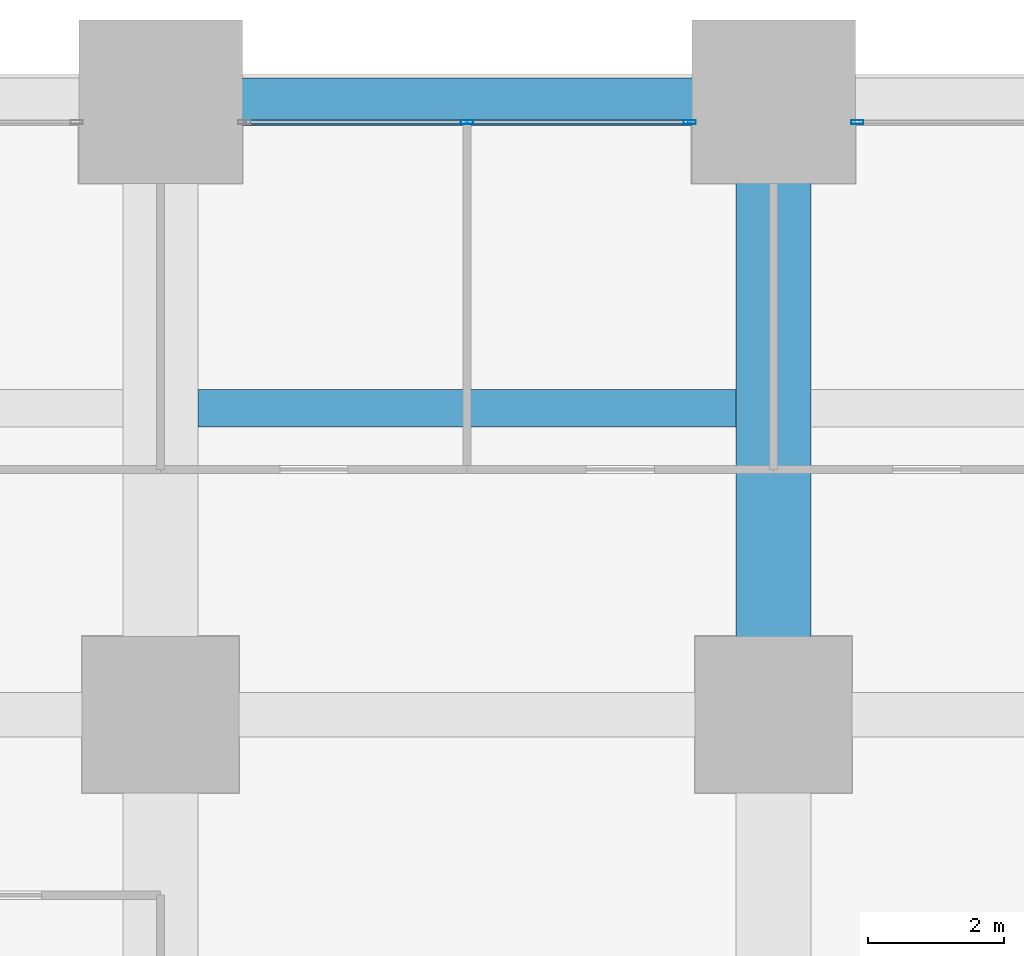
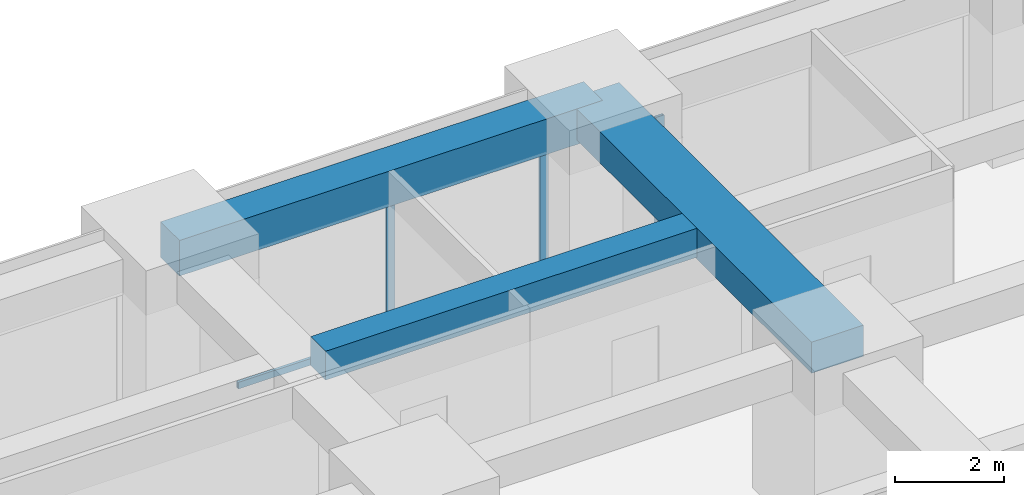
# One storey, part 22 of 38: 4 members, 3 beams, 2 elements without a shape of their own.
"""IFC4 building model written with IfcOpenShell, lengths in metres."""

from ifc_helpers import new_model, si_unit, direction, frame, origin, origin_2d, place, context, subcontext, project, spatial, rectangle, hollow_rectangle, extrude, material, material_profile, profile_set, type_object, element, aggregate, save


model = new_model("IFC4")

# Units and contexts
model_context = context("Model", 3, precision=1e-05, world=origin(), true_north=direction((0.0, 1.0)))
body_context = subcontext(model_context, "Body", "Model", "MODEL_VIEW")
ifc_project = project(units=[si_unit("LENGTHUNIT", "METRE"), si_unit("AREAUNIT", "SQUARE_METRE"), si_unit("VOLUMEUNIT", "CUBIC_METRE"), si_unit("PLANEANGLEUNIT", "RADIAN"), si_unit("MASSUNIT", "GRAM", prefix="KILO")], contexts=[model_context])

# Site, building, storey
site_placement = place(None, origin())
site = spatial("IfcSite", under=ifc_project, at=site_placement, CompositionType="ELEMENT")
building_placement = place(site_placement, origin())
building = spatial("IfcBuilding", under=site, at=building_placement, Name="Zorevar Civic Tower", CompositionType="ELEMENT")
storey_placement = place(building_placement, frame((0.0, 0.0, 15.800048828125)))
storey = spatial("IfcBuildingStorey", under=building, at=storey_placement, Name="L03", CompositionType="ELEMENT", Elevation=15.800048828125)

# Beams
ifc_material_1 = material(Name="Concrete C50/60", Category="concrete")
ifc_material_profile_1 = material_profile(ifc_material_1, rectangle(XDim=1.10009765625, YDim=0.699951171875, at=origin_2d()), Name="RC 1100x700")
ifc_profile_set_1 = profile_set([ifc_material_profile_1], Name="Concrete C50/60")
beam_type_1 = type_object("IfcBeamType", Name="Beam RC 1100x700", PredefinedType="BEAM", material=ifc_profile_set_1)
beam_1_placement = place(storey_placement, frame((45.0, 45.0, 3.39990234375), z_axis=(0.0, 1.0, 0.0), x_axis=(-1.0, 0.0, 0.0)))
element("IfcBeam", 1, at=beam_1_placement, inside=storey, type_object=beam_type_1, Name="Girder L04", PredefinedType="BEAM", context=body_context, shape_type="SweptSolid", body=[
    extrude(rectangle(XDim=1.10009765625, YDim=0.699951171875, at=origin_2d()), origin(), (0.0, 0.0, 1.0), 9.0),
])
ifc_material_2 = material(Name="Concrete C50/60", Category="concrete")
ifc_material_profile_2 = material_profile(ifc_material_2, rectangle(XDim=0.550048828125, YDim=0.64990234375, at=origin_2d()), Name="RC 550x650")
ifc_profile_set_2 = profile_set([ifc_material_profile_2], Name="Concrete C50/60")
beam_type_2 = type_object("IfcBeamType", Name="Beam RC 550x650", PredefinedType="BEAM", material=ifc_profile_set_2)
beam_2_placement = place(storey_placement, frame((36.550048828125, 49.5, 3.425048828125), z_axis=(1.0, 0.0, 0.0), x_axis=(0.0, 1.0, 0.0)))
element("IfcBeam", 2, at=beam_2_placement, inside=storey, type_object=beam_type_2, Name="Secondary beam L04", PredefinedType="BEAM", context=body_context, shape_type="SweptSolid", body=[
    extrude(rectangle(XDim=0.550048828125, YDim=0.64990234375, at=origin_2d()), origin(), (0.0, 0.0, 1.0), 7.89990234375),
])

# Curtain wall, members
ifc_material_3 = material(Name="Dark grey solar-control glass in black aluminium frame", Category="aluminium")
curtain_wall_type = type_object("IfcCurtainWallType", Name="Curtain wall CW2 low zone", PredefinedType="NOTDEFINED", material=ifc_material_3)
curtain_wall_1_placement = place(storey_placement, origin())
curtain_wall_1 = element("IfcCurtainWall", 3, at=curtain_wall_1_placement, inside=storey, type_object=curtain_wall_type, Name="CW2 L03", PredefinedType="NOTDEFINED")
ifc_material_4 = material(Name="Aluminium, black anodised", Category="aluminium")
ifc_material_profile_3 = material_profile(ifc_material_4, hollow_rectangle(XDim=0.06005859375, YDim=0.179931640625, WallThickness=0.00390625, at=origin_2d()), Name="AL 180x60x4")
ifc_profile_set_3 = profile_set([ifc_material_profile_3], Name="Aluminium, black anodised")
member_type_1 = type_object("IfcMemberType", Name="CW2 mullion AL 180x60x4", PredefinedType="MULLION", material=ifc_profile_set_3)
member_1_placement = place(storey_placement, frame((40.5, 53.699951171875, 0.06005859375), z_axis=(0.0, 0.0, 1.0), x_axis=(0.0, 1.0, 0.0)))
member_1 = element("IfcMember", 4, at=member_1_placement, type_object=member_type_1, Name="CW2 mullion 2", PredefinedType="MULLION", context=body_context, shape_type="SweptSolid", body=[
    extrude(hollow_rectangle(XDim=0.06005859375, YDim=0.179931640625, WallThickness=0.00390625, at=origin_2d()), origin(), (0.0, 0.0, 1.0), 2.889892578125),
])
member_2_placement = place(storey_placement, frame((43.77001953125, 53.699951171875, 0.0), z_axis=(0.0, 0.0, 1.0), x_axis=(0.0, 1.0, 0.0)))
member_2 = element("IfcMember", 5, at=member_2_placement, type_object=member_type_1, Name="CW2 mullion 3", PredefinedType="MULLION", context=body_context, shape_type="SweptSolid", body=[
    extrude(hollow_rectangle(XDim=0.06005859375, YDim=0.179931640625, WallThickness=0.00390625, at=origin_2d()), origin(), (0.0, 0.0, 1.0), 2.949951171875),
])

# Curtain wall, member
curtain_wall_2_placement = place(storey_placement, origin())
curtain_wall_2 = element("IfcCurtainWall", 6, at=curtain_wall_2_placement, inside=storey, type_object=curtain_wall_type, Name="CW2 L03", PredefinedType="NOTDEFINED")
member_3_placement = place(storey_placement, frame((46.22998046875, 53.699951171875, 0.0), z_axis=(0.0, 0.0, 1.0), x_axis=(0.0, 1.0, 0.0)))
member_3 = element("IfcMember", 7, at=member_3_placement, type_object=member_type_1, Name="CW2 mullion 1", PredefinedType="MULLION", context=body_context, shape_type="SweptSolid", body=[
    extrude(hollow_rectangle(XDim=0.06005859375, YDim=0.179931640625, WallThickness=0.00390625, at=origin_2d()), origin(), (0.0, 0.0, 1.0), 2.949951171875),
])
aggregate(curtain_wall_2, [member_3])

# Member
ifc_material_5 = material(Name="Aluminium, black anodised", Category="aluminium")
ifc_material_profile_4 = material_profile(ifc_material_5, hollow_rectangle(XDim=0.06005859375, YDim=0.14990234375, WallThickness=0.00390625, at=origin_2d()), Name="AL 150x60x4")
ifc_profile_set_4 = profile_set([ifc_material_profile_4], Name="Aluminium, black anodised")
member_type_2 = type_object("IfcMemberType", Name="CW2 transom AL 150x60x4", PredefinedType="USERDEFINED", material=ifc_profile_set_4)
member_4_placement = place(storey_placement, frame((37.260009765625, 53.699951171875, 0.030029296875), z_axis=(1.0, 0.0, 0.0), x_axis=(0.0, 1.0, 0.0)))
member_4 = element("IfcMember", 8, at=member_4_placement, type_object=member_type_2, Name="CW2 sill transom", ObjectType="TRANSOM", PredefinedType="USERDEFINED", context=body_context, shape_type="SweptSolid", body=[
    extrude(hollow_rectangle(XDim=0.06005859375, YDim=0.14990234375, WallThickness=0.00390625, at=origin_2d()), origin(), (0.0, 0.0, 1.0), 6.47998046875),
])

aggregate(curtain_wall_1, [member_1, member_2, member_4])

# Beam
ifc_material_6 = material(Name="Concrete C50/60", Category="concrete")
ifc_material_profile_5 = material_profile(ifc_material_6, rectangle(XDim=0.699951171875, YDim=0.800048828125, at=origin_2d()), Name="RC 700x800")
ifc_profile_set_5 = profile_set([ifc_material_profile_5], Name="Concrete C50/60")
beam_type_3 = type_object("IfcBeamType", Name="Edge beam RC 700x800", PredefinedType="SPANDREL", material=ifc_profile_set_5)
beam_3_placement = place(storey_placement, frame((36.0, 54.0, 3.349853515625), z_axis=(1.0, 0.0, 0.0), x_axis=(0.0, 1.0, 0.0)))
element("IfcBeam", 9, at=beam_3_placement, inside=storey, type_object=beam_type_3, Name="Edge beam L04", PredefinedType="SPANDREL", context=body_context, shape_type="SweptSolid", body=[
    extrude(rectangle(XDim=0.699951171875, YDim=0.800048828125, at=origin_2d()), origin(), (0.0, 0.0, 1.0), 9.0),
])

save(model, "model.ifc")
